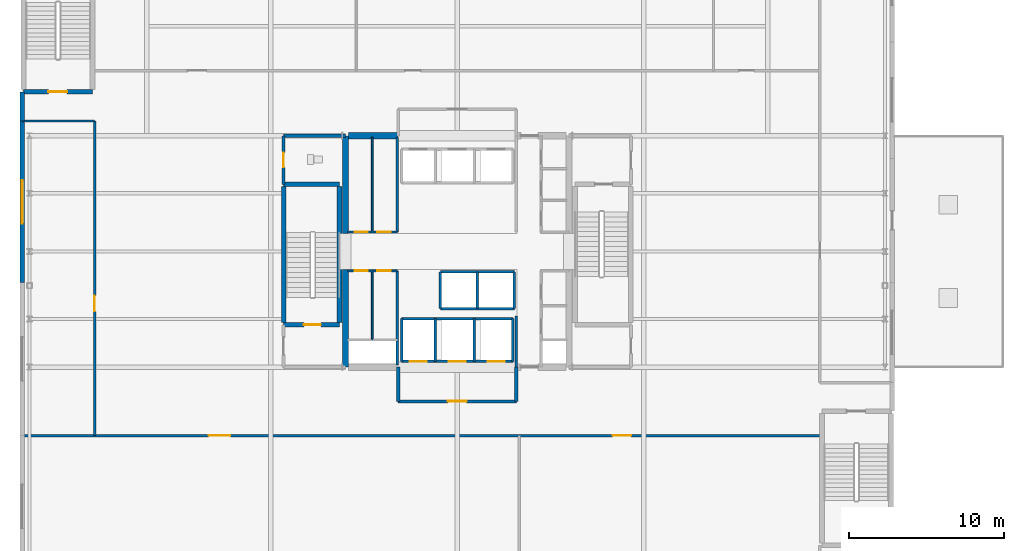
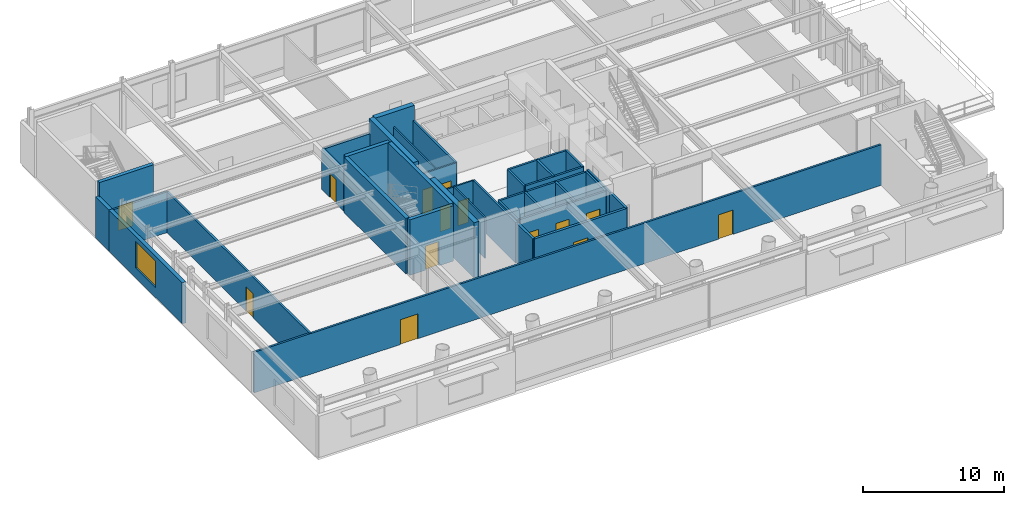
# One storey, part 15 of 22: 36 walls, 14 doors, 1 window, 15 openings.
"""IFC4 building model written with IfcOpenShell, lengths in metres."""

from ifc_helpers import new_model, si_unit, direction, frame, frame_2d, origin, place, context, subcontext, project, spatial, rectangle, extrude, material, layer, layer_set, type_object, element, fill, save


model = new_model("IFC4")

# Units and contexts
model_context = context("Model", 3, precision=1e-05, world=origin(), true_north=direction((0.0, 1.0)))
body_context = subcontext(model_context, "Body", "Model", "MODEL_VIEW")
ifc_project = project(units=[si_unit("LENGTHUNIT", "METRE"), si_unit("AREAUNIT", "SQUARE_METRE"), si_unit("VOLUMEUNIT", "CUBIC_METRE"), si_unit("PLANEANGLEUNIT", "RADIAN"), si_unit("MASSUNIT", "GRAM", prefix="KILO")], contexts=[model_context])

# Site, building, storey
site_placement = place(None, origin())
site = spatial("IfcSite", under=ifc_project, at=site_placement, CompositionType="ELEMENT")
building_placement = place(site_placement, origin())
building = spatial("IfcBuilding", under=site, at=building_placement, Name="Veldorina Hangang Commons", CompositionType="ELEMENT")
storey_placement = place(building_placement, frame((0.0, 0.0, 14.800048828125)))
storey = spatial("IfcBuildingStorey", under=building, at=storey_placement, Name="L03", CompositionType="ELEMENT", Elevation=14.800048828125)

# Walls
ifc_material_1 = material(Name="Concrete C70/85", Category="concrete")
ifc_layer_1 = layer(ifc_material_1, 0.39990234375)
ifc_layer_set_1 = layer_set([ifc_layer_1], Name="Concrete C70/85")
wall_type_1 = type_object("IfcWallType", Name="CW-RC400-C70", PredefinedType="SHEAR", material=ifc_layer_set_1)
for number, where, z_axis, x_axis, name in (
    (1, (24.800048828125, 16.550048828125, 0.0), (0.0, 0.0, 1.0), (0.0, 1.0, 0.0), "L03 W south core shear wall"),
    (2, (24.800048828125, 25.14990234375, 0.0), (0.0, 0.0, 1.0), (0.0, 1.0, 0.0), "L03 W north core shear wall"),
):
    element("IfcWall", number, at=place(storey_placement, frame(where, z_axis=z_axis, x_axis=x_axis)), inside=storey, type_object=wall_type_1, Name=name, PredefinedType="SHEAR", context=body_context, shape_type="SweptSolid", body=[
        extrude(rectangle(XDim=6.300048828125, YDim=0.39990234375, at=frame_2d((3.14990234375, 0.0))), origin(), (0.0, 0.0, 1.0), 4.800048828125),
    ])
wall_1_placement = place(storey_placement, frame((25.0, 31.449951171875, 0.0), z_axis=(0.0, 0.0, 1.0), x_axis=(1.0, 0.0, 0.0)))
element("IfcWall", 3, at=wall_1_placement, inside=storey, type_object=wall_type_1, Name="L03 north-west core shear wall", PredefinedType="SHEAR", context=body_context, shape_type="SweptSolid", body=[
    extrude(rectangle(XDim=3.199951171875, YDim=0.39990234375, at=frame_2d((1.60009765625, 0.0))), origin(), (0.0, 0.0, 1.0), 4.800048828125),
])

# Wall, opening, window
ifc_material_2 = material(Name="Stone Roman Travertine", Category="masonry")
ifc_layer_2 = layer(ifc_material_2, 0.300048828125)
ifc_layer_set_2 = layer_set([ifc_layer_2], Name="Stone Roman Travertine")
wall_type_2 = type_object("IfcWallType", Name="EW-TRAV-300", PredefinedType="STANDARD", material=ifc_layer_set_2)
wall_2_placement = place(storey_placement, frame((4.0, 32.39990234375, 0.0), z_axis=(0.0, 0.0, 1.0), x_axis=(0.0, -1.0, 0.0)))
wall_2 = element("IfcWall", 4, at=wall_2_placement, inside=storey, type_object=wall_type_2, Name="L03 west podium stone wall W3", PredefinedType="STANDARD", context=body_context, shape_type="SweptSolid", body=[
    extrude(rectangle(XDim=10.39990234375, YDim=0.300048828125, at=frame_2d((5.199951171875, 0.0))), origin(), (0.0, 0.0, 1.0), 3.570068359375),
])
opening_1_placement = place(wall_2_placement, frame((3.800048828125, 0.0, 0.85009765625)))
opening_1 = element("IfcOpeningElement", 5, at=opening_1_placement, cuts=wall_2, Name="Opening W-06", PredefinedType="OPENING", context=body_context, shape_type="SweptSolid", body=[
    extrude(rectangle(XDim=2.800048828125, YDim=2.300048828125, at=frame_2d((1.39990234375, 1.14990234375))), frame((0.0, 0.16015625, 0.0), z_axis=(0.0, -1.0, 0.0), x_axis=(1.0, 0.0, 0.0)), (0.0, 0.0, 1.0), 0.320068359375),
])
ifc_material_3 = material(Name="Glass Acoustic Laminated", Category="glass")
window_type = type_object("IfcWindowType", Name="WIN-POD-2800", PartitioningType="SINGLE_PANEL", PredefinedType="WINDOW", material=ifc_material_3)
window_placement = place(opening_1_placement, origin())
window = element("IfcWindow", 6, at=window_placement, inside=storey, type_object=window_type, Name="L03 west podium window W3", OverallHeight=2.300048828125, OverallWidth=2.800048828125, PartitioningType="SINGLE_PANEL", PredefinedType="WINDOW", context=body_context, shape_type="SweptSolid", body=[
    extrude(rectangle(XDim=2.800048828125, YDim=2.300048828125, at=frame_2d((1.39990234375, 1.14990234375))), frame((0.0, 0.030029296875, 0.0), z_axis=(0.0, -1.0, 0.0), x_axis=(1.0, 0.0, 0.0)), (0.0, 0.0, 1.0), 0.06005859375),
])
fill(opening_1, window)

# Walls
wall_3_placement = place(storey_placement, frame((4.0, 34.280029296875, 0.0), z_axis=(0.0, 0.0, 1.0), x_axis=(0.0, -1.0, 0.0)))
element("IfcWall", 7, at=wall_3_placement, inside=storey, type_object=wall_type_2, Name="L03 west podium stone wall W4", PredefinedType="STANDARD", context=body_context, shape_type="SweptSolid", body=[
    extrude(rectangle(XDim=1.880126953125, YDim=0.300048828125, at=frame_2d((0.93994140625, 0.0))), origin(), (0.0, 0.0, 1.0), 3.570068359375),
])
ifc_material_4 = material(Name="Concrete C50/60", Category="concrete")
ifc_layer_3 = layer(ifc_material_4, 0.300048828125)
ifc_layer_set_3 = layer_set([ifc_layer_3], Name="Concrete C50/60")
wall_type_3 = type_object("IfcWallType", Name="SW-STAIR-300", PredefinedType="SHEAR", material=ifc_layer_set_3)
for number, where, z_axis, x_axis, name in (
    (8, (20.820068359375, 19.429931640625, 0.0), (0.0, 0.0, 1.0), (0.0, 1.0, 0.0), "L03 ST1 outer stair shear wall"),
    (9, (24.419921875, 19.429931640625, 0.0), (0.0, 0.0, 1.0), (0.0, 1.0, 0.0), "L03 ST1 inner stair shear wall"),
):
    element("IfcWall", number, at=place(storey_placement, frame(where, z_axis=z_axis, x_axis=x_axis)), inside=storey, type_object=wall_type_3, Name=name, PredefinedType="SHEAR", context=body_context, shape_type="SweptSolid", body=[
        extrude(rectangle(XDim=8.739990234375, YDim=0.300048828125, at=frame_2d((4.3701171875, 0.0))), origin(), (0.0, 0.0, 1.0), 4.800048828125),
    ])

# Wall, opening, door
wall_4_placement = place(storey_placement, frame((20.820068359375, 19.280029296875, 0.0), z_axis=(0.0, 0.0, 1.0), x_axis=(1.0, 0.0, 0.0)))
wall_4 = element("IfcWall", 10, at=wall_4_placement, inside=storey, type_object=wall_type_3, Name="L03 ST1 south stair shear wall", PredefinedType="SHEAR", context=body_context, shape_type="SweptSolid", body=[
    extrude(rectangle(XDim=3.599853515625, YDim=0.300048828125, at=frame_2d((1.7998046875, 0.0))), origin(), (0.0, 0.0, 1.0), 4.800048828125),
])
opening_2_placement = place(wall_4_placement, frame((1.300048828125, 0.0, 0.0)))
opening_2 = element("IfcOpeningElement", 11, at=opening_2_placement, cuts=wall_4, Name="Opening D-08", PredefinedType="OPENING", context=body_context, shape_type="SweptSolid", body=[
    extrude(rectangle(XDim=1.10009765625, YDim=2.10009765625, at=frame_2d((0.550048828125, 1.050048828125))), frame((0.0, 0.16015625, 0.0), z_axis=(0.0, -1.0, 0.0), x_axis=(1.0, 0.0, 0.0)), (0.0, 0.0, 1.0), 0.320068359375),
])
ifc_material_5 = material(Name="Steel Fire-Rated Smoke Seal", Category="steel")
door_type_1 = type_object("IfcDoorType", Name="DR-FIRE-1100", OperationType="SINGLE_SWING_RIGHT", PredefinedType="DOOR", material=ifc_material_5)
door_1_placement = place(opening_2_placement, origin())
door_1 = element("IfcDoor", 12, at=door_1_placement, inside=storey, type_object=door_type_1, Name="L03 Special Escape Stair ST-1 door", OperationType="SINGLE_SWING_LEFT", OverallHeight=2.10009765625, OverallWidth=1.10009765625, PredefinedType="DOOR", context=body_context, shape_type="SweptSolid", body=[
    extrude(rectangle(XDim=1.10009765625, YDim=2.10009765625, at=frame_2d((0.550048828125, 1.050048828125))), frame((0.0, 0.02490234375, 0.0), z_axis=(0.0, -1.0, 0.0), x_axis=(1.0, 0.0, 0.0)), (0.0, 0.0, 1.0), 0.050048828125),
])
fill(opening_2, door_1)

# Wall
wall_5_placement = place(storey_placement, frame((20.820068359375, 28.320068359375, 0.0), z_axis=(0.0, 0.0, 1.0), x_axis=(1.0, 0.0, 0.0)))
element("IfcWall", 13, at=wall_5_placement, inside=storey, type_object=wall_type_3, Name="L03 ST1 north stair shear wall", PredefinedType="SHEAR", context=body_context, shape_type="SweptSolid", body=[
    extrude(rectangle(XDim=3.599853515625, YDim=0.300048828125, at=frame_2d((1.7998046875, 0.0))), origin(), (0.0, 0.0, 1.0), 4.800048828125),
])

# Wall, opening, door
wall_6_placement = place(storey_placement, frame((4.080078125, 34.280029296875, 0.0), z_axis=(0.0, 0.0, 1.0), x_axis=(1.0, 0.0, 0.0)))
wall_6 = element("IfcWall", 14, at=wall_6_placement, inside=storey, type_object=wall_type_3, Name="L03 STP1 S stair shear wall", PredefinedType="SHEAR", context=body_context, shape_type="SweptSolid", body=[
    extrude(rectangle(XDim=4.43994140625, YDim=0.300048828125, at=frame_2d((2.219970703125, 0.0))), origin(), (0.0, 0.0, 1.0), 4.800048828125),
])
opening_3_placement = place(wall_6_placement, frame((1.60009765625, 0.0, 0.0)))
opening_3 = element("IfcOpeningElement", 15, at=opening_3_placement, cuts=wall_6, Name="Opening D-09", PredefinedType="OPENING", context=body_context, shape_type="SweptSolid", body=[
    extrude(rectangle(XDim=1.199951171875, YDim=2.10009765625, at=frame_2d((0.60009765625, 1.050048828125))), frame((0.0, 0.16015625, 0.0), z_axis=(0.0, -1.0, 0.0), x_axis=(1.0, 0.0, 0.0)), (0.0, 0.0, 1.0), 0.320068359375),
])
ifc_material_6 = material(Name="Steel Fire-Rated Corridor Door", Category="steel")
door_type_2 = type_object("IfcDoorType", Name="DR-FIRE-1200", OperationType="SINGLE_SWING_LEFT", PredefinedType="DOOR", material=ifc_material_6)
door_2_placement = place(opening_3_placement, origin())
door_2 = element("IfcDoor", 16, at=door_2_placement, inside=storey, type_object=door_type_2, Name="L03 Podium Stair ST-P1 door", OperationType="SINGLE_SWING_LEFT", OverallHeight=2.10009765625, OverallWidth=1.199951171875, PredefinedType="DOOR", context=body_context, shape_type="SweptSolid", body=[
    extrude(rectangle(XDim=1.199951171875, YDim=2.10009765625, at=frame_2d((0.60009765625, 1.050048828125))), frame((0.0, 0.02490234375, 0.0), z_axis=(0.0, -1.0, 0.0), x_axis=(1.0, 0.0, 0.0)), (0.0, 0.0, 1.0), 0.050048828125),
])
fill(opening_3, door_2)

# Walls
ifc_material_7 = material(Name="Gypsum Fire-Rated Twin Stud Wall", Category="gypsum")
ifc_layer_4 = layer(ifc_material_7, 0.159912109375)
ifc_layer_set_4 = layer_set([ifc_layer_4], Name="Gypsum Fire-Rated Twin Stud Wall")
wall_type_4 = type_object("IfcWallType", Name="WL-FIRE-160", PredefinedType="SOLIDWALL", material=ifc_layer_set_4)
wall_7_placement = place(storey_placement, frame((35.800048828125, 16.550048828125, 0.0), z_axis=(0.0, 0.0, 1.0), x_axis=(0.0, 1.0, 0.0)))
element("IfcWall", 17, at=wall_7_placement, inside=storey, type_object=wall_type_4, Name="L03 Lift passage SW wall 009", PredefinedType="SOLIDWALL", context=body_context, shape_type="SweptSolid", body=[
    extrude(rectangle(XDim=3.300048828125, YDim=0.159912109375, at=frame_2d((1.64990234375, 0.0))), origin(), (0.0, 0.0, 1.0), 3.52001953125),
])
for number, where, z_axis, x_axis, name in (
    (18, (30.919921875, 22.679931640625, 0.0), (0.0, 0.0, 1.0), (1.0, 0.0, 0.0), "L03 Shuttle-high front shaft wall 021"),
    (19, (30.919921875, 20.320068359375, 0.0), (0.0, 0.0, 1.0), (1.0, 0.0, 0.0), "L03 Shuttle-high rear shaft wall 022"),
):
    element("IfcWall", number, at=place(storey_placement, frame(where, z_axis=z_axis, x_axis=x_axis)), inside=storey, type_object=wall_type_4, Name=name, PredefinedType="SOLIDWALL", context=body_context, shape_type="SweptSolid", body=[
        extrude(rectangle(XDim=4.760009765625, YDim=0.159912109375, at=frame_2d((2.3798828125, 0.0))), origin(), (0.0, 0.0, 1.0), 3.52001953125),
    ])
for number, where, z_axis, x_axis, name in (
    (20, (30.919921875, 20.320068359375, 0.0), (0.0, 0.0, 1.0), (0.0, 1.0, 0.0), "L03 SL-1 west shaft wall 023"),
    (21, (33.300048828125, 20.320068359375, 0.0), (0.0, 0.0, 1.0), (0.0, 1.0, 0.0), "L03 SL-1 east shaft wall 024"),
    (22, (35.679931640625, 20.320068359375, 0.0), (0.0, 0.0, 1.0), (0.0, 1.0, 0.0), "L03 SL-2 east shaft wall 025"),
):
    element("IfcWall", number, at=place(storey_placement, frame(where, z_axis=z_axis, x_axis=x_axis)), inside=storey, type_object=wall_type_4, Name=name, PredefinedType="SOLIDWALL", context=body_context, shape_type="SweptSolid", body=[
        extrude(rectangle(XDim=2.35986328125, YDim=0.159912109375, at=frame_2d((1.179931640625, 0.0))), origin(), (0.0, 0.0, 1.0), 3.52001953125),
    ])

# Wall, openings, doors
wall_8_placement = place(storey_placement, frame((28.419921875, 16.919921875, 0.0), z_axis=(0.0, 0.0, 1.0), x_axis=(1.0, 0.0, 0.0)))
wall_8 = element("IfcWall", 23, at=wall_8_placement, inside=storey, type_object=wall_type_4, Name="L03 Emergency front shaft wall 026", PredefinedType="SOLIDWALL", context=body_context, shape_type="SweptSolid", body=[
    extrude(rectangle(XDim=7.16015625, YDim=0.159912109375, at=frame_2d((3.580078125, 0.0))), origin(), (0.0, 0.0, 1.0), 3.52001953125),
])
opening_4_placement = place(wall_8_placement, frame((0.530029296875, 0.0, 0.0)))
opening_4 = element("IfcOpeningElement", 24, at=opening_4_placement, cuts=wall_8, Name="Opening LD-03", PredefinedType="OPENING", context=body_context, shape_type="SweptSolid", body=[
    extrude(rectangle(XDim=1.10009765625, YDim=2.14990234375, at=frame_2d((0.550048828125, 1.074951171875))), frame((0.0, 0.08984375, 0.0), z_axis=(0.0, -1.0, 0.0), x_axis=(1.0, 0.0, 0.0)), (0.0, 0.0, 1.0), 0.179931640625),
])
opening_5_placement = place(wall_8_placement, frame((3.030029296875, 0.0, 0.0)))
opening_5 = element("IfcOpeningElement", 25, at=opening_5_placement, cuts=wall_8, Name="Opening LD-03", PredefinedType="OPENING", context=body_context, shape_type="SweptSolid", body=[
    extrude(rectangle(XDim=1.10009765625, YDim=2.14990234375, at=frame_2d((0.550048828125, 1.074951171875))), frame((0.0, 0.08984375, 0.0), z_axis=(0.0, -1.0, 0.0), x_axis=(1.0, 0.0, 0.0)), (0.0, 0.0, 1.0), 0.179931640625),
])
opening_6_placement = place(wall_8_placement, frame((5.530029296875, 0.0, 0.0)))
opening_6 = element("IfcOpeningElement", 26, at=opening_6_placement, cuts=wall_8, Name="Opening LD-03", PredefinedType="OPENING", context=body_context, shape_type="SweptSolid", body=[
    extrude(rectangle(XDim=1.10009765625, YDim=2.14990234375, at=frame_2d((0.550048828125, 1.074951171875))), frame((0.0, 0.08984375, 0.0), z_axis=(0.0, -1.0, 0.0), x_axis=(1.0, 0.0, 0.0)), (0.0, 0.0, 1.0), 0.179931640625),
])
ifc_material_8 = material(Name="Stainless Steel Firefighting Lift Door", Category="steel")
door_type_3 = type_object("IfcDoorType", Name="DR-LIFT-FF1100", OperationType="SLIDING_TO_RIGHT", PredefinedType="DOOR", material=ifc_material_8)
door_3_placement = place(opening_4_placement, origin())
door_3 = element("IfcDoor", 27, at=door_3_placement, inside=storey, type_object=door_type_3, Name="L03 Emergency lift FFL-1 landing door 009", OperationType="SLIDING_TO_RIGHT", OverallHeight=2.14990234375, OverallWidth=1.10009765625, PredefinedType="DOOR", context=body_context, shape_type="SweptSolid", body=[
    extrude(rectangle(XDim=1.10009765625, YDim=2.14990234375, at=frame_2d((0.550048828125, 1.074951171875))), frame((0.0, 0.02490234375, 0.0), z_axis=(0.0, -1.0, 0.0), x_axis=(1.0, 0.0, 0.0)), (0.0, 0.0, 1.0), 0.050048828125),
])
fill(opening_4, door_3)
door_4_placement = place(opening_5_placement, origin())
door_4 = element("IfcDoor", 28, at=door_4_placement, inside=storey, type_object=door_type_3, Name="L03 Emergency lift FFL-2 landing door 010", OperationType="SLIDING_TO_RIGHT", OverallHeight=2.14990234375, OverallWidth=1.10009765625, PredefinedType="DOOR", context=body_context, shape_type="SweptSolid", body=[
    extrude(rectangle(XDim=1.10009765625, YDim=2.14990234375, at=frame_2d((0.550048828125, 1.074951171875))), frame((0.0, 0.02490234375, 0.0), z_axis=(0.0, -1.0, 0.0), x_axis=(1.0, 0.0, 0.0)), (0.0, 0.0, 1.0), 0.050048828125),
])
fill(opening_5, door_4)
door_5_placement = place(opening_6_placement, origin())
door_5 = element("IfcDoor", 29, at=door_5_placement, inside=storey, type_object=door_type_3, Name="L03 Emergency lift EVL-1 landing door 011", OperationType="SLIDING_TO_RIGHT", OverallHeight=2.14990234375, OverallWidth=1.10009765625, PredefinedType="DOOR", context=body_context, shape_type="SweptSolid", body=[
    extrude(rectangle(XDim=1.10009765625, YDim=2.14990234375, at=frame_2d((0.550048828125, 1.074951171875))), frame((0.0, 0.02490234375, 0.0), z_axis=(0.0, -1.0, 0.0), x_axis=(1.0, 0.0, 0.0)), (0.0, 0.0, 1.0), 0.050048828125),
])
fill(opening_6, door_5)

# Walls
wall_9_placement = place(storey_placement, frame((28.419921875, 19.679931640625, 0.0), z_axis=(0.0, 0.0, 1.0), x_axis=(1.0, 0.0, 0.0)))
element("IfcWall", 30, at=wall_9_placement, inside=storey, type_object=wall_type_4, Name="L03 Emergency rear shaft wall 027", PredefinedType="SOLIDWALL", context=body_context, shape_type="SweptSolid", body=[
    extrude(rectangle(XDim=7.16015625, YDim=0.159912109375, at=frame_2d((3.580078125, 0.0))), origin(), (0.0, 0.0, 1.0), 3.52001953125),
])
for number, where, z_axis, x_axis, name in (
    (31, (28.419921875, 16.919921875, 0.0), (0.0, 0.0, 1.0), (0.0, 1.0, 0.0), "L03 FFL-1 west shaft wall 028"),
    (32, (30.580078125, 16.919921875, 0.0), (0.0, 0.0, 1.0), (0.0, 1.0, 0.0), "L03 FFL-1 east shaft wall 029"),
    (33, (33.080078125, 16.919921875, 0.0), (0.0, 0.0, 1.0), (0.0, 1.0, 0.0), "L03 FFL-2 east shaft wall 030"),
    (34, (35.580078125, 16.919921875, 0.0), (0.0, 0.0, 1.0), (0.0, 1.0, 0.0), "L03 EVL-1 east shaft wall 031"),
):
    element("IfcWall", number, at=place(storey_placement, frame(where, z_axis=z_axis, x_axis=x_axis)), inside=storey, type_object=wall_type_4, Name=name, PredefinedType="SOLIDWALL", context=body_context, shape_type="SweptSolid", body=[
        extrude(rectangle(XDim=2.760009765625, YDim=0.159912109375, at=frame_2d((1.3798828125, 0.0))), origin(), (0.0, 0.0, 1.0), 3.52001953125),
    ])
wall_10_placement = place(storey_placement, frame((28.14990234375, 16.699951171875, 0.0), z_axis=(0.0, 0.0, 1.0), x_axis=(0.0, 1.0, 0.0)))
element("IfcWall", 35, at=wall_10_placement, inside=storey, type_object=wall_type_4, Name="L03 SW core inner wall 036", PredefinedType="SOLIDWALL", context=body_context, shape_type="SweptSolid", body=[
    extrude(rectangle(XDim=6.050048828125, YDim=0.159912109375, at=frame_2d((3.02490234375, 0.0))), origin(), (0.0, 0.0, 1.0), 3.52001953125),
])
wall_11_placement = place(storey_placement, frame((28.14990234375, 25.25, 0.0), z_axis=(0.0, 0.0, 1.0), x_axis=(0.0, 1.0, 0.0)))
element("IfcWall", 36, at=wall_11_placement, inside=storey, type_object=wall_type_4, Name="L03 NW core inner wall 038", PredefinedType="SOLIDWALL", context=body_context, shape_type="SweptSolid", body=[
    extrude(rectangle(XDim=6.10009765625, YDim=0.159912109375, at=frame_2d((3.050048828125, 0.0))), origin(), (0.0, 0.0, 1.0), 3.52001953125),
])

# Wall, openings, doors
wall_12_placement = place(storey_placement, frame((4.0, 12.14990234375, 0.0), z_axis=(0.0, 0.0, 1.0), x_axis=(1.0, 0.0, 0.0)))
wall_12 = element("IfcWall", 37, at=wall_12_placement, inside=storey, type_object=wall_type_4, Name="L03 L03 gallery south wall 051", PredefinedType="SOLIDWALL", context=body_context, shape_type="SweptSolid", body=[
    extrude(rectangle(XDim=51.35009765625, YDim=0.159912109375, at=frame_2d((25.675048828125, 0.0))), origin(), (0.0, 0.0, 1.0), 3.52001953125),
])
opening_7_placement = place(wall_12_placement, frame((12.0, 0.0, 0.0)))
opening_7 = element("IfcOpeningElement", 38, at=opening_7_placement, cuts=wall_12, Name="Opening D-11", PredefinedType="OPENING", context=body_context, shape_type="SweptSolid", body=[
    extrude(rectangle(XDim=1.39990234375, YDim=2.14990234375, at=frame_2d((0.699951171875, 1.074951171875))), frame((0.0, 0.08984375, 0.0), z_axis=(0.0, -1.0, 0.0), x_axis=(1.0, 0.0, 0.0)), (0.0, 0.0, 1.0), 0.179931640625),
])
opening_8_placement = place(wall_12_placement, frame((38.0, 0.0, 0.0)))
opening_8 = element("IfcOpeningElement", 39, at=opening_8_placement, cuts=wall_12, Name="Opening D-09", PredefinedType="OPENING", context=body_context, shape_type="SweptSolid", body=[
    extrude(rectangle(XDim=1.199951171875, YDim=2.10009765625, at=frame_2d((0.60009765625, 1.050048828125))), frame((0.0, 0.08984375, 0.0), z_axis=(0.0, -1.0, 0.0), x_axis=(1.0, 0.0, 0.0)), (0.0, 0.0, 1.0), 0.179931640625),
])
door_6_placement = place(opening_8_placement, origin())
door_6 = element("IfcDoor", 40, at=door_6_placement, inside=storey, type_object=door_type_2, Name="L03 Book stacks door 023", OperationType="SINGLE_SWING_LEFT", OverallHeight=2.10009765625, OverallWidth=1.199951171875, PredefinedType="DOOR", context=body_context, shape_type="SweptSolid", body=[
    extrude(rectangle(XDim=1.199951171875, YDim=2.10009765625, at=frame_2d((0.60009765625, 1.050048828125))), frame((0.0, 0.02490234375, 0.0), z_axis=(0.0, -1.0, 0.0), x_axis=(1.0, 0.0, 0.0)), (0.0, 0.0, 1.0), 0.050048828125),
])
fill(opening_8, door_6)
ifc_material_9 = material(Name="Steel Glazed Fire Assembly Door", Category="steel")
door_type_4 = type_object("IfcDoorType", Name="DR-FIRE-1400", OperationType="DOUBLE_SWING_LEFT", PredefinedType="DOOR", material=ifc_material_9)
door_7_placement = place(opening_7_placement, origin())
door_7 = element("IfcDoor", 41, at=door_7_placement, inside=storey, type_object=door_type_4, Name="L03 Library reading hall door 022", OperationType="SINGLE_SWING_RIGHT", OverallHeight=2.14990234375, OverallWidth=1.39990234375, PredefinedType="DOOR", context=body_context, shape_type="SweptSolid", body=[
    extrude(rectangle(XDim=1.39990234375, YDim=2.14990234375, at=frame_2d((0.699951171875, 1.074951171875))), frame((0.0, 0.02490234375, 0.0), z_axis=(0.0, -1.0, 0.0), x_axis=(1.0, 0.0, 0.0)), (0.0, 0.0, 1.0), 0.050048828125),
])
fill(opening_7, door_7)

# Wall, opening, door
wall_13_placement = place(storey_placement, frame((8.64990234375, 12.14990234375, 0.0), z_axis=(0.0, 0.0, 1.0), x_axis=(0.0, 1.0, 0.0)))
wall_13 = element("IfcWall", 42, at=wall_13_placement, inside=storey, type_object=wall_type_4, Name="L03 L03 gallery west wall 052", PredefinedType="SOLIDWALL", context=body_context, shape_type="SweptSolid", body=[
    extrude(rectangle(XDim=20.25, YDim=0.159912109375, at=frame_2d((10.125, 0.0))), origin(), (0.0, 0.0, 1.0), 3.52001953125),
])
opening_9_placement = place(wall_13_placement, frame((8.0, 0.0, 0.0)))
opening_9 = element("IfcOpeningElement", 43, at=opening_9_placement, cuts=wall_13, Name="Opening D-05", PredefinedType="OPENING", context=body_context, shape_type="SweptSolid", body=[
    extrude(rectangle(XDim=1.0, YDim=2.10009765625, at=frame_2d((0.5, 1.050048828125))), frame((0.0, 0.08984375, 0.0), z_axis=(0.0, -1.0, 0.0), x_axis=(1.0, 0.0, 0.0)), (0.0, 0.0, 1.0), 0.179931640625),
])
ifc_material_10 = material(Name="Timber Solid Core Acoustic", Category="wood")
door_type_5 = type_object("IfcDoorType", Name="DR-INT-1000", OperationType="SINGLE_SWING_RIGHT", PredefinedType="DOOR", material=ifc_material_10)
door_8_placement = place(opening_9_placement, origin())
door_8 = element("IfcDoor", 44, at=door_8_placement, inside=storey, type_object=door_type_5, Name="L03 West study suite door 027", OperationType="SINGLE_SWING_LEFT", OverallHeight=2.10009765625, OverallWidth=1.0, PredefinedType="DOOR", context=body_context, shape_type="SweptSolid", body=[
    extrude(rectangle(XDim=1.0, YDim=2.10009765625, at=frame_2d((0.5, 1.050048828125))), frame((0.0, 0.02490234375, 0.0), z_axis=(0.0, -1.0, 0.0), x_axis=(1.0, 0.0, 0.0)), (0.0, 0.0, 1.0), 0.050048828125),
])
fill(opening_9, door_8)

# Wall
wall_14_placement = place(storey_placement, frame((4.0, 32.39990234375, 0.0), z_axis=(0.0, 0.0, 1.0), x_axis=(1.0, 0.0, 0.0)))
element("IfcWall", 45, at=wall_14_placement, inside=storey, type_object=wall_type_4, Name="L03 L03 west room north wall 053", PredefinedType="SOLIDWALL", context=body_context, shape_type="SweptSolid", body=[
    extrude(rectangle(XDim=4.64990234375, YDim=0.159912109375, at=frame_2d((2.324951171875, 0.0))), origin(), (0.0, 0.0, 1.0), 3.52001953125),
])

# Wall, opening, door
ifc_material_11 = material(Name="Concrete Blockwork Fire Wall C30/37", Category="masonry")
ifc_layer_5 = layer(ifc_material_11, 0.199951171875)
ifc_layer_set_5 = layer_set([ifc_layer_5], Name="Concrete Blockwork Fire Wall C30/37")
wall_type_5 = type_object("IfcWallType", Name="WL-FIRE-200", PredefinedType="SOLIDWALL", material=ifc_layer_set_5)
wall_15_placement = place(storey_placement, frame((20.820068359375, 28.320068359375, 0.0), z_axis=(0.0, 0.0, 1.0), x_axis=(0.0, 1.0, 0.0)))
wall_15 = element("IfcWall", 46, at=wall_15_placement, inside=storey, type_object=wall_type_5, Name="L03 NW core room outer wall 005", PredefinedType="SOLIDWALL", context=body_context, shape_type="SweptSolid", body=[
    extrude(rectangle(XDim=3.1298828125, YDim=0.199951171875, at=frame_2d((1.56494140625, 0.0))), origin(), (0.0, 0.0, 1.0), 3.52001953125),
])
opening_10_placement = place(wall_15_placement, frame((1.090087890625, 0.0, 0.0)))
opening_10 = element("IfcOpeningElement", 47, at=opening_10_placement, cuts=wall_15, Name="Opening D-04", PredefinedType="OPENING", context=body_context, shape_type="SweptSolid", body=[
    extrude(rectangle(XDim=0.949951171875, YDim=2.10009765625, at=frame_2d((0.47509765625, 1.050048828125))), frame((0.0, 0.10986328125, 0.0), z_axis=(0.0, -1.0, 0.0), x_axis=(1.0, 0.0, 0.0)), (0.0, 0.0, 1.0), 0.219970703125),
])
ifc_material_12 = material(Name="Timber Accessible Flush Leaf", Category="wood")
door_type_6 = type_object("IfcDoorType", Name="DR-ACC-950", OperationType="SINGLE_SWING_LEFT", PredefinedType="DOOR", material=ifc_material_12)
door_9_placement = place(opening_10_placement, origin())
door_9 = element("IfcDoor", 48, at=door_9_placement, inside=storey, type_object=door_type_6, Name="L03 NW core WC door 003", OperationType="SINGLE_SWING_LEFT", OverallHeight=2.10009765625, OverallWidth=0.949951171875, PredefinedType="DOOR", context=body_context, shape_type="SweptSolid", body=[
    extrude(rectangle(XDim=0.949951171875, YDim=2.10009765625, at=frame_2d((0.47509765625, 1.050048828125))), frame((0.0, 0.02490234375, 0.0), z_axis=(0.0, -1.0, 0.0), x_axis=(1.0, 0.0, 0.0)), (0.0, 0.0, 1.0), 0.050048828125),
])
fill(opening_10, door_9)

# Walls
wall_16_placement = place(storey_placement, frame((20.820068359375, 31.449951171875, 0.0), z_axis=(0.0, 0.0, 1.0), x_axis=(1.0, 0.0, 0.0)))
element("IfcWall", 49, at=wall_16_placement, inside=storey, type_object=wall_type_5, Name="L03 NW core room north wall 006", PredefinedType="SOLIDWALL", context=body_context, shape_type="SweptSolid", body=[
    extrude(rectangle(XDim=3.97998046875, YDim=0.199951171875, at=frame_2d((1.989990234375, 0.0))), origin(), (0.0, 0.0, 1.0), 3.52001953125),
])
for number, where, z_axis, x_axis, name in (
    (50, (28.199951171875, 14.35009765625, 0.0), (0.0, 0.0, 1.0), (0.0, 1.0, 0.0), "L03 FF lobby west wall 012"),
    (51, (35.800048828125, 14.35009765625, 0.0), (0.0, 0.0, 1.0), (0.0, 1.0, 0.0), "L03 FF lobby east wall 013"),
):
    element("IfcWall", number, at=place(storey_placement, frame(where, z_axis=z_axis, x_axis=x_axis)), inside=storey, type_object=wall_type_5, Name=name, PredefinedType="SOLIDWALL", context=body_context, shape_type="SweptSolid", body=[
        extrude(rectangle(XDim=2.199951171875, YDim=0.199951171875, at=frame_2d((1.10009765625, 0.0))), origin(), (0.0, 0.0, 1.0), 3.52001953125),
    ])

# Wall, opening, door
wall_17_placement = place(storey_placement, frame((28.199951171875, 14.35009765625, 0.0), z_axis=(0.0, 0.0, 1.0), x_axis=(1.0, 0.0, 0.0)))
wall_17 = element("IfcWall", 52, at=wall_17_placement, inside=storey, type_object=wall_type_5, Name="L03 FF lobby south wall 014", PredefinedType="SOLIDWALL", context=body_context, shape_type="SweptSolid", body=[
    extrude(rectangle(XDim=7.60009765625, YDim=0.199951171875, at=frame_2d((3.800048828125, 0.0))), origin(), (0.0, 0.0, 1.0), 3.52001953125),
])
opening_11_placement = place(wall_17_placement, frame((3.199951171875, 0.0, 0.0)))
opening_11 = element("IfcOpeningElement", 53, at=opening_11_placement, cuts=wall_17, Name="Opening D-09", PredefinedType="OPENING", context=body_context, shape_type="SweptSolid", body=[
    extrude(rectangle(XDim=1.199951171875, YDim=2.10009765625, at=frame_2d((0.60009765625, 1.050048828125))), frame((0.0, 0.10986328125, 0.0), z_axis=(0.0, -1.0, 0.0), x_axis=(1.0, 0.0, 0.0)), (0.0, 0.0, 1.0), 0.219970703125),
])
door_10_placement = place(opening_11_placement, origin())
door_10 = element("IfcDoor", 54, at=door_10_placement, inside=storey, type_object=door_type_2, Name="L03 FF lobby south corridor door 005", OperationType="SINGLE_SWING_LEFT", OverallHeight=2.10009765625, OverallWidth=1.199951171875, PredefinedType="DOOR", context=body_context, shape_type="SweptSolid", body=[
    extrude(rectangle(XDim=1.199951171875, YDim=2.10009765625, at=frame_2d((0.60009765625, 1.050048828125))), frame((0.0, 0.02490234375, 0.0), z_axis=(0.0, -1.0, 0.0), x_axis=(1.0, 0.0, 0.0)), (0.0, 0.0, 1.0), 0.050048828125),
])
fill(opening_11, door_10)

# Wall, openings, doors
ifc_material_13 = material(Name="Gypsum Acoustic Stud Partition", Category="gypsum")
ifc_layer_6 = layer(ifc_material_13, 0.1201171875)
ifc_layer_set_6 = layer_set([ifc_layer_6], Name="Gypsum Acoustic Stud Partition")
wall_type_6 = type_object("IfcWallType", Name="WL-PART-120", PredefinedType="PARTITIONING", material=ifc_layer_set_6)
wall_18_placement = place(storey_placement, frame((24.949951171875, 25.25, 0.0), z_axis=(0.0, 0.0, 1.0), x_axis=(1.0, 0.0, 0.0)))
wall_18 = element("IfcWall", 55, at=wall_18_placement, inside=storey, type_object=wall_type_6, Name="L03 NW service south wall 039", PredefinedType="PARTITIONING", context=body_context, shape_type="SweptSolid", body=[
    extrude(rectangle(XDim=3.199951171875, YDim=0.1201171875, at=frame_2d((1.60009765625, 0.0))), origin(), (0.0, 0.0, 1.0), 3.52001953125),
])
opening_12_placement = place(wall_18_placement, frame((0.43994140625, 0.0, 0.0)))
opening_12 = element("IfcOpeningElement", 56, at=opening_12_placement, cuts=wall_18, Name="Opening D-01", PredefinedType="OPENING", context=body_context, shape_type="SweptSolid", body=[
    extrude(rectangle(XDim=0.860107421875, YDim=2.10009765625, at=frame_2d((0.43017578125, 1.050048828125))), frame((0.0, 0.070068359375, 0.0), z_axis=(0.0, -1.0, 0.0), x_axis=(1.0, 0.0, 0.0)), (0.0, 0.0, 1.0), 0.14013671875),
])
opening_13_placement = place(wall_18_placement, frame((1.89990234375, 0.0, 0.0)))
opening_13 = element("IfcOpeningElement", 57, at=opening_13_placement, cuts=wall_18, Name="Opening D-01", PredefinedType="OPENING", context=body_context, shape_type="SweptSolid", body=[
    extrude(rectangle(XDim=0.860107421875, YDim=2.10009765625, at=frame_2d((0.43017578125, 1.050048828125))), frame((0.0, 0.070068359375, 0.0), z_axis=(0.0, -1.0, 0.0), x_axis=(1.0, 0.0, 0.0)), (0.0, 0.0, 1.0), 0.14013671875),
])
ifc_material_14 = material(Name="Timber Moisture-Resistant Core", Category="wood")
door_type_7 = type_object("IfcDoorType", Name="DR-WET-860", OperationType="SINGLE_SWING_LEFT", PredefinedType="DOOR", material=ifc_material_14)
door_11_placement = place(opening_12_placement, origin())
door_11 = element("IfcDoor", 58, at=door_11_placement, inside=storey, type_object=door_type_7, Name="L03 Linen west door 013", OperationType="SINGLE_SWING_LEFT", OverallHeight=2.10009765625, OverallWidth=0.860107421875, PredefinedType="DOOR", context=body_context, shape_type="SweptSolid", body=[
    extrude(rectangle(XDim=0.860107421875, YDim=2.10009765625, at=frame_2d((0.43017578125, 1.050048828125))), frame((0.0, 0.02490234375, 0.0), z_axis=(0.0, -1.0, 0.0), x_axis=(1.0, 0.0, 0.0)), (0.0, 0.0, 1.0), 0.050048828125),
])
fill(opening_12, door_11)
door_12_placement = place(opening_13_placement, origin())
door_12 = element("IfcDoor", 59, at=door_12_placement, inside=storey, type_object=door_type_7, Name="L03 Data closet door 014", OperationType="SINGLE_SWING_RIGHT", OverallHeight=2.10009765625, OverallWidth=0.860107421875, PredefinedType="DOOR", context=body_context, shape_type="SweptSolid", body=[
    extrude(rectangle(XDim=0.860107421875, YDim=2.10009765625, at=frame_2d((0.43017578125, 1.050048828125))), frame((0.0, 0.02490234375, 0.0), z_axis=(0.0, -1.0, 0.0), x_axis=(1.0, 0.0, 0.0)), (0.0, 0.0, 1.0), 0.050048828125),
])
fill(opening_13, door_12)

wall_19_placement = place(storey_placement, frame((24.949951171875, 22.75, 0.0), z_axis=(0.0, 0.0, 1.0), x_axis=(1.0, 0.0, 0.0)))
wall_19 = element("IfcWall", 60, at=wall_19_placement, inside=storey, type_object=wall_type_6, Name="L03 SW service north wall 040", PredefinedType="PARTITIONING", context=body_context, shape_type="SweptSolid", body=[
    extrude(rectangle(XDim=3.199951171875, YDim=0.1201171875, at=frame_2d((1.60009765625, 0.0))), origin(), (0.0, 0.0, 1.0), 3.52001953125),
])
opening_14_placement = place(wall_19_placement, frame((0.43994140625, 0.0, 0.0)))
opening_14 = element("IfcOpeningElement", 61, at=opening_14_placement, cuts=wall_19, Name="Opening D-01", PredefinedType="OPENING", context=body_context, shape_type="SweptSolid", body=[
    extrude(rectangle(XDim=0.860107421875, YDim=2.10009765625, at=frame_2d((0.43017578125, 1.050048828125))), frame((0.0, 0.070068359375, 0.0), z_axis=(0.0, -1.0, 0.0), x_axis=(1.0, 0.0, 0.0)), (0.0, 0.0, 1.0), 0.14013671875),
])
opening_15_placement = place(wall_19_placement, frame((1.89990234375, 0.0, 0.0)))
opening_15 = element("IfcOpeningElement", 62, at=opening_15_placement, cuts=wall_19, Name="Opening D-01", PredefinedType="OPENING", context=body_context, shape_type="SweptSolid", body=[
    extrude(rectangle(XDim=0.860107421875, YDim=2.10009765625, at=frame_2d((0.43017578125, 1.050048828125))), frame((0.0, 0.070068359375, 0.0), z_axis=(0.0, -1.0, 0.0), x_axis=(1.0, 0.0, 0.0)), (0.0, 0.0, 1.0), 0.14013671875),
])
door_13_placement = place(opening_14_placement, origin())
door_13 = element("IfcDoor", 63, at=door_13_placement, inside=storey, type_object=door_type_7, Name="L03 Cleaners door 015", OperationType="SINGLE_SWING_LEFT", OverallHeight=2.10009765625, OverallWidth=0.860107421875, PredefinedType="DOOR", context=body_context, shape_type="SweptSolid", body=[
    extrude(rectangle(XDim=0.860107421875, YDim=2.10009765625, at=frame_2d((0.43017578125, 1.050048828125))), frame((0.0, 0.02490234375, 0.0), z_axis=(0.0, -1.0, 0.0), x_axis=(1.0, 0.0, 0.0)), (0.0, 0.0, 1.0), 0.050048828125),
])
fill(opening_14, door_13)
door_14_placement = place(opening_15_placement, origin())
door_14 = element("IfcDoor", 64, at=door_14_placement, inside=storey, type_object=door_type_7, Name="L03 Metering door 016", OperationType="SINGLE_SWING_RIGHT", OverallHeight=2.10009765625, OverallWidth=0.860107421875, PredefinedType="DOOR", context=body_context, shape_type="SweptSolid", body=[
    extrude(rectangle(XDim=0.860107421875, YDim=2.10009765625, at=frame_2d((0.43017578125, 1.050048828125))), frame((0.0, 0.02490234375, 0.0), z_axis=(0.0, -1.0, 0.0), x_axis=(1.0, 0.0, 0.0)), (0.0, 0.0, 1.0), 0.050048828125),
])
fill(opening_15, door_14)

# Walls
wall_20_placement = place(storey_placement, frame((26.530029296875, 25.25, 0.0), z_axis=(0.0, 0.0, 1.0), x_axis=(0.0, 1.0, 0.0)))
element("IfcWall", 65, at=wall_20_placement, inside=storey, type_object=wall_type_6, Name="L03 NW vertical split 045", PredefinedType="PARTITIONING", context=body_context, shape_type="SweptSolid", body=[
    extrude(rectangle(XDim=6.10009765625, YDim=0.1201171875, at=frame_2d((3.050048828125, 0.0))), origin(), (0.0, 0.0, 1.0), 3.52001953125),
])
wall_21_placement = place(storey_placement, frame((26.530029296875, 18.300048828125, 0.0), z_axis=(0.0, 0.0, 1.0), x_axis=(0.0, 1.0, 0.0)))
element("IfcWall", 66, at=wall_21_placement, inside=storey, type_object=wall_type_6, Name="L03 SW vertical split 046", PredefinedType="PARTITIONING", context=body_context, shape_type="SweptSolid", body=[
    extrude(rectangle(XDim=4.449951171875, YDim=0.1201171875, at=frame_2d((2.22509765625, 0.0))), origin(), (0.0, 0.0, 1.0), 3.52001953125),
])

save(model, "model.ifc")
